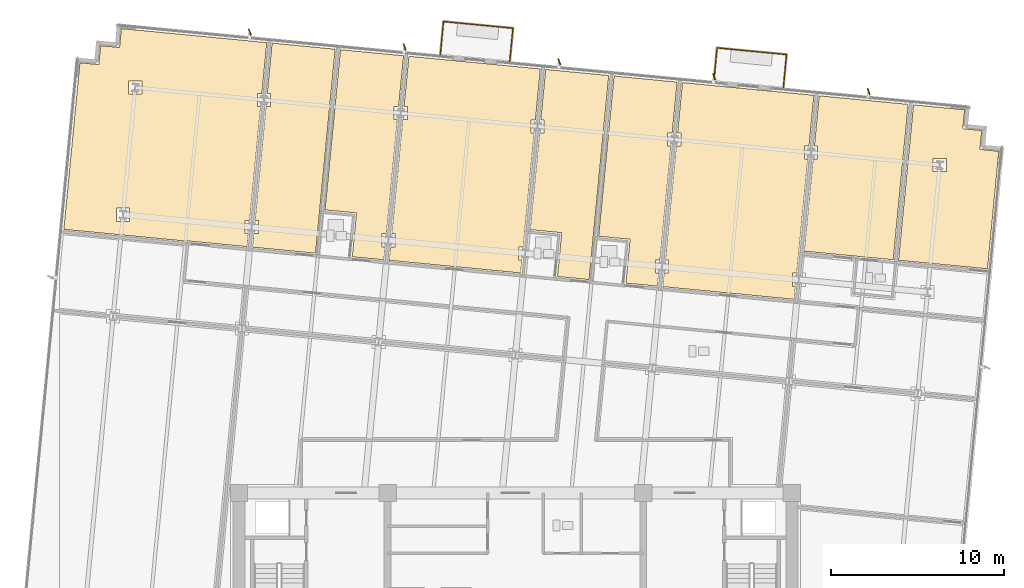
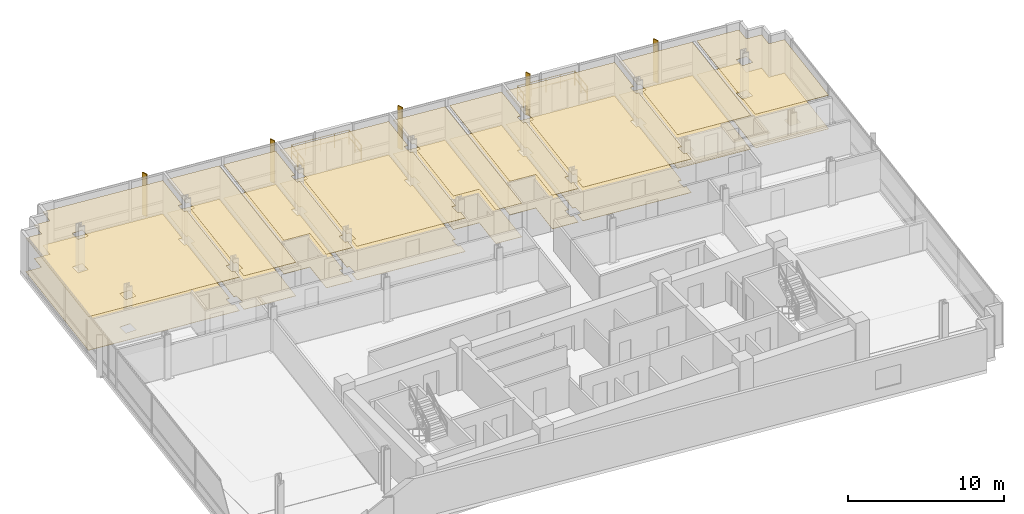
# One storey, part 16 of 17: 18 coverings, 6 railings, 5 shading devices.
"""IFC4 building model written with IfcOpenShell, lengths in metres."""

from ifc_helpers import new_model, si_unit, direction, frame, origin, origin_2d, place, context, subcontext, project, spatial, polyline, rectangle, circle, outline, extrude, material, layer, layer_set, type_object, element, save


model = new_model("IFC4")

# Units and contexts
model_context = context("Model", 3, precision=1e-05, world=origin(), true_north=direction((0.0, 1.0)))
body_context = subcontext(model_context, "Body", "Model", "MODEL_VIEW")
ifc_project = project(units=[si_unit("LENGTHUNIT", "METRE"), si_unit("AREAUNIT", "SQUARE_METRE"), si_unit("VOLUMEUNIT", "CUBIC_METRE"), si_unit("PLANEANGLEUNIT", "RADIAN"), si_unit("MASSUNIT", "GRAM", prefix="KILO")], contexts=[model_context])

# Site, building, storey
site_placement = place(None, origin())
site = spatial("IfcSite", under=ifc_project, at=site_placement, CompositionType="ELEMENT")
building_placement = place(site_placement, origin())
building = spatial("IfcBuilding", under=site, at=building_placement, Name="Solmavex Isthmus Hotel", CompositionType="ELEMENT")
storey_placement = place(building_placement, frame((0.0, 0.0, 170.39990234375)))
storey = spatial("IfcBuildingStorey", under=building, at=storey_placement, Name="L46", CompositionType="ELEMENT", Elevation=170.39990234375)

# Coverings
ifc_material_1 = material(Name="Gypsum plasterboard lining", Category="gypsum")
ifc_layer_1 = layer(ifc_material_1, 0.030029296875)
ifc_layer_set_1 = layer_set([ifc_layer_1], Name="Gypsum plasterboard lining")
covering_type_1 = type_object("IfcCoveringType", Name="COV-CEIL-GYP", PredefinedType="CEILING", material=ifc_layer_set_1)
covering_1_placement = place(storey_placement, frame((0.0, 0.0, 2.6201171875)))
element("IfcCovering", 1, at=covering_1_placement, inside=storey, type_object=covering_type_1, Name="Suspended Acoustic Ceiling L46-RM01", PredefinedType="CEILING", context=body_context, shape_type="SweptSolid", body=[
    extrude(outline(polyline([(-19.121337890625, 12.088623046875), (-19.119384765625, 12.1083984375), (-15.535888671875, 11.763427734375), (-15.463623046875, 12.51611328125), (-15.651123046875, 12.51611328125), (-15.651123046875, 13.276123046875), (-15.390380859375, 13.276123046875), (-14.755126953125, 19.874267578125), (-14.942626953125, 19.874267578125), (-14.942626953125, 20.63427734375), (-14.681884765625, 20.63427734375), (-14.3984375, 23.578857421875), (-21.99609375, 24.310302734375), (-22.8173828125, 24.389404296875), (-22.9228515625, 23.29443359375), (-24.017822265625, 23.39990234375), (-24.123291015625, 22.304931640625), (-25.218017578125, 22.410400390625), (-25.297119140625, 21.589111328125), (-26.14697265625, 12.764892578125), (-19.121337890625, 12.088623046875)]), holes=[polyline([(-22.396240234375, 20.591796875), (-22.396240234375, 21.351806640625), (-21.63623046875, 21.351806640625), (-21.63623046875, 20.591796875), (-22.396240234375, 20.591796875)]), polyline([(-23.104736328125, 13.23388671875), (-23.104736328125, 13.993896484375), (-22.3447265625, 13.993896484375), (-22.3447265625, 13.23388671875), (-23.104736328125, 13.23388671875)])]), origin(), (0.0, 0.0, 1.0), 0.030029296875),
])
covering_2_placement = place(storey_placement, frame((0.0, 0.0, 2.6201171875)))
element("IfcCovering", 2, at=covering_2_placement, inside=storey, type_object=covering_type_1, Name="Suspended Acoustic Ceiling L46-RM02", PredefinedType="CEILING", context=body_context, shape_type="SweptSolid", body=[
    extrude(outline(polyline([(-15.078857421875, 13.276123046875), (-14.89111328125, 13.276123046875), (-14.89111328125, 12.51611328125), (-15.152099609375, 12.51611328125), (-15.2275390625, 11.733642578125), (-11.576416015625, 11.382080078125), (-10.438720703125, 23.197509765625), (-14.08984375, 23.549072265625), (-14.370361328125, 20.63427734375), (-14.1826171875, 20.63427734375), (-14.1826171875, 19.874267578125), (-14.443603515625, 19.874267578125), (-15.078857421875, 13.276123046875)])), origin(), (0.0, 0.0, 1.0), 0.030029296875),
])
covering_3_placement = place(storey_placement, frame((0.0, 0.0, 2.6201171875)))
element("IfcCovering", 3, at=covering_3_placement, inside=storey, type_object=covering_type_1, Name="Suspended Acoustic Ceiling L46-RM03", PredefinedType="CEILING", context=body_context, shape_type="SweptSolid", body=[
    extrude(outline(polyline([(-6.835693359375, 19.111572265625), (-7.0234375, 19.111572265625), (-7.0234375, 19.87158203125), (-6.762451171875, 19.87158203125), (-6.47900390625, 22.816162109375), (-10.130126953125, 23.167724609375), (-11.0234375, 13.890625), (-9.201904296875, 13.71533203125), (-9.4462890625, 11.177001953125), (-7.61669921875, 11.000732421875), (-7.544189453125, 11.753662109375), (-7.73193359375, 11.753662109375), (-7.73193359375, 12.513671875), (-7.470947265625, 12.513671875), (-6.835693359375, 19.111572265625)])), origin(), (0.0, 0.0, 1.0), 0.030029296875),
])
covering_4_placement = place(storey_placement, frame((0.0, 0.0, 2.6201171875)))
element("IfcCovering", 4, at=covering_4_placement, inside=storey, type_object=covering_type_1, Name="Suspended Acoustic Ceiling L46-RM04", PredefinedType="CEILING", context=body_context, shape_type="SweptSolid", body=[
    extrude(outline(polyline([(-7.159423828125, 12.513671875), (-6.971923828125, 12.513671875), (-6.971923828125, 11.753662109375), (-7.232666015625, 11.753662109375), (-7.30810546875, 10.97119140625), (0.302734375, 10.23828125), (0.375244140625, 10.9912109375), (0.1875, 10.9912109375), (0.1875, 11.751220703125), (0.448486328125, 11.751220703125), (1.083740234375, 18.34912109375), (0.89599609375, 18.34912109375), (0.89599609375, 19.109130859375), (1.156982421875, 19.109130859375), (1.4404296875, 22.0537109375), (-6.17041015625, 22.786376953125), (-6.450927734375, 19.87158203125), (-6.263427734375, 19.87158203125), (-6.263427734375, 19.111572265625), (-6.524169921875, 19.111572265625), (-7.0146484375, 14.017822265625), (-7.159423828125, 12.513671875)])), origin(), (0.0, 0.0, 1.0), 0.030029296875),
])
covering_5_placement = place(storey_placement, frame((0.0, 0.0, 2.6201171875)))
element("IfcCovering", 5, at=covering_5_placement, inside=storey, type_object=covering_type_1, Name="Suspended Acoustic Ceiling L46-RM05", PredefinedType="CEILING", context=body_context, shape_type="SweptSolid", body=[
    extrude(outline(polyline([(1.46826171875, 19.109130859375), (1.656005859375, 19.109130859375), (1.656005859375, 18.34912109375), (1.395263671875, 18.34912109375), (0.855712890625, 12.746826171875), (2.67724609375, 12.571533203125), (2.432861328125, 10.033203125), (4.262451171875, 9.85693359375), (5.400146484375, 21.67236328125), (1.7490234375, 22.02392578125), (1.46826171875, 19.109130859375)])), origin(), (0.0, 0.0, 1.0), 0.030029296875),
])
covering_6_placement = place(storey_placement, frame((0.0, 0.0, 2.6201171875)))
element("IfcCovering", 6, at=covering_6_placement, inside=storey, type_object=covering_type_1, Name="Suspended Acoustic Ceiling L46-RM06", PredefinedType="CEILING", context=body_context, shape_type="SweptSolid", body=[
    extrude(outline(polyline([(9.003173828125, 17.586669921875), (8.8154296875, 17.586669921875), (8.8154296875, 18.346435546875), (9.076171875, 18.346435546875), (9.35986328125, 21.291015625), (5.708740234375, 21.642578125), (4.8154296875, 12.365478515625), (6.636962890625, 12.190185546875), (6.392333984375, 9.65185546875), (8.22216796875, 9.475830078125), (8.294677734375, 10.228515625), (8.10693359375, 10.228515625), (8.10693359375, 10.988525390625), (8.36767578125, 10.988525390625), (9.003173828125, 17.586669921875)])), origin(), (0.0, 0.0, 1.0), 0.030029296875),
])
covering_7_placement = place(storey_placement, frame((0.0, 0.0, 2.6201171875)))
element("IfcCovering", 7, at=covering_7_placement, inside=storey, type_object=covering_type_1, Name="Suspended Acoustic Ceiling L46-RM07", PredefinedType="CEILING", context=body_context, shape_type="SweptSolid", body=[
    extrude(outline(polyline([(8.67919921875, 10.988525390625), (8.866943359375, 10.988525390625), (8.866943359375, 10.228515625), (8.60595703125, 10.228515625), (8.53076171875, 9.446044921875), (16.1416015625, 8.713134765625), (16.2138671875, 9.466064453125), (16.0263671875, 9.466064453125), (16.0263671875, 10.22607421875), (16.287109375, 10.22607421875), (16.92236328125, 16.823974609375), (16.73486328125, 16.823974609375), (16.73486328125, 17.583984375), (16.99560546875, 17.583984375), (17.279052734375, 20.528564453125), (9.66845703125, 21.261474609375), (9.3876953125, 18.346435546875), (9.575439453125, 18.346435546875), (9.575439453125, 17.586669921875), (9.314453125, 17.586669921875), (8.67919921875, 10.988525390625)])), origin(), (0.0, 0.0, 1.0), 0.030029296875),
])
covering_8_placement = place(storey_placement, frame((0.0, 0.0, 2.6201171875)))
element("IfcCovering", 8, at=covering_8_placement, inside=storey, type_object=covering_type_1, Name="Suspended Acoustic Ceiling L46-HB08", PredefinedType="CEILING", context=body_context, shape_type="SweptSolid", body=[
    extrude(outline(polyline([(17.30712890625, 17.583984375), (17.494873046875, 17.583984375), (17.494873046875, 16.823974609375), (17.23388671875, 16.823974609375), (17.139404296875, 15.841552734375), (16.72119140625, 11.50048828125), (21.87158203125, 11.004638671875), (22.738037109375, 20.0029296875), (17.587646484375, 20.498779296875), (17.30712890625, 17.583984375)])), origin(), (0.0, 0.0, 1.0), 0.030029296875),
])
covering_9_placement = place(storey_placement, frame((0.0, 0.0, 2.6201171875)))
element("IfcCovering", 9, at=covering_9_placement, inside=storey, type_object=covering_type_1, Name="Suspended Acoustic Ceiling L46-HP08", PredefinedType="CEILING", context=body_context, shape_type="SweptSolid", body=[
    extrude(outline(polyline([(26.0068359375, 19.688232421875), (25.185546875, 19.767333984375), (23.04638671875, 19.97314453125), (22.179931640625, 10.974853515625), (27.330322265625, 10.47900390625), (27.90673828125, 16.46630859375), (27.98583984375, 17.287353515625), (26.890869140625, 17.392822265625), (26.996337890625, 18.48779296875), (25.9013671875, 18.59326171875), (26.0068359375, 19.688232421875)]), holes=[polyline([(24.188232421875, 16.106201171875), (24.188232421875, 16.8662109375), (24.9482421875, 16.8662109375), (24.9482421875, 16.106201171875), (24.188232421875, 16.106201171875)])]), origin(), (0.0, 0.0, 1.0), 0.030029296875),
])
ifc_material_2 = material(Name="Travertine natural stone", Category="masonry")
ifc_layer_2 = layer(ifc_material_2, 0.02490234375)
ifc_layer_set_2 = layer_set([ifc_layer_2], Name="Travertine natural stone")
covering_type_2 = type_object("IfcCoveringType", Name="COV-FLOR-STN", PredefinedType="FLOORING", material=ifc_layer_set_2)
covering_10_placement = place(storey_placement, origin())
element("IfcCovering", 10, at=covering_10_placement, inside=storey, type_object=covering_type_2, Name="Stone and Timber Floor Finish L46-RM01", PredefinedType="FLOORING", context=body_context, shape_type="SweptSolid", body=[
    extrude(outline(polyline([(-19.121337890625, 12.088623046875), (-19.119384765625, 12.1083984375), (-15.535888671875, 11.763427734375), (-15.463623046875, 12.51611328125), (-15.651123046875, 12.51611328125), (-15.651123046875, 13.276123046875), (-15.390380859375, 13.276123046875), (-14.755126953125, 19.874267578125), (-14.942626953125, 19.874267578125), (-14.942626953125, 20.63427734375), (-14.681884765625, 20.63427734375), (-14.3984375, 23.578857421875), (-21.99609375, 24.310302734375), (-22.8173828125, 24.389404296875), (-22.9228515625, 23.29443359375), (-24.017822265625, 23.39990234375), (-24.123291015625, 22.304931640625), (-25.218017578125, 22.410400390625), (-25.297119140625, 21.589111328125), (-26.14697265625, 12.764892578125), (-19.121337890625, 12.088623046875)]), holes=[polyline([(-22.396240234375, 20.591796875), (-22.396240234375, 21.351806640625), (-21.63623046875, 21.351806640625), (-21.63623046875, 20.591796875), (-22.396240234375, 20.591796875)]), polyline([(-23.104736328125, 13.23388671875), (-23.104736328125, 13.993896484375), (-22.3447265625, 13.993896484375), (-22.3447265625, 13.23388671875), (-23.104736328125, 13.23388671875)])]), origin(), (0.0, 0.0, 1.0), 0.025146484375),
])
covering_11_placement = place(storey_placement, origin())
element("IfcCovering", 11, at=covering_11_placement, inside=storey, type_object=covering_type_2, Name="Stone and Timber Floor Finish L46-RM02", PredefinedType="FLOORING", context=body_context, shape_type="SweptSolid", body=[
    extrude(outline(polyline([(-15.078857421875, 13.276123046875), (-14.89111328125, 13.276123046875), (-14.89111328125, 12.51611328125), (-15.152099609375, 12.51611328125), (-15.2275390625, 11.733642578125), (-11.576416015625, 11.382080078125), (-10.438720703125, 23.197509765625), (-14.08984375, 23.549072265625), (-14.370361328125, 20.63427734375), (-14.1826171875, 20.63427734375), (-14.1826171875, 19.874267578125), (-14.443603515625, 19.874267578125), (-15.078857421875, 13.276123046875)])), origin(), (0.0, 0.0, 1.0), 0.025146484375),
])
covering_12_placement = place(storey_placement, origin())
element("IfcCovering", 12, at=covering_12_placement, inside=storey, type_object=covering_type_2, Name="Stone and Timber Floor Finish L46-RM03", PredefinedType="FLOORING", context=body_context, shape_type="SweptSolid", body=[
    extrude(outline(polyline([(-6.835693359375, 19.111572265625), (-7.0234375, 19.111572265625), (-7.0234375, 19.87158203125), (-6.762451171875, 19.87158203125), (-6.47900390625, 22.816162109375), (-10.130126953125, 23.167724609375), (-11.0234375, 13.890625), (-9.201904296875, 13.71533203125), (-9.4462890625, 11.177001953125), (-7.61669921875, 11.000732421875), (-7.544189453125, 11.753662109375), (-7.73193359375, 11.753662109375), (-7.73193359375, 12.513671875), (-7.470947265625, 12.513671875), (-6.835693359375, 19.111572265625)])), origin(), (0.0, 0.0, 1.0), 0.025146484375),
])
covering_13_placement = place(storey_placement, origin())
element("IfcCovering", 13, at=covering_13_placement, inside=storey, type_object=covering_type_2, Name="Stone and Timber Floor Finish L46-RM04", PredefinedType="FLOORING", context=body_context, shape_type="SweptSolid", body=[
    extrude(outline(polyline([(-7.159423828125, 12.513671875), (-6.971923828125, 12.513671875), (-6.971923828125, 11.753662109375), (-7.232666015625, 11.753662109375), (-7.30810546875, 10.97119140625), (0.302734375, 10.23828125), (0.375244140625, 10.9912109375), (0.1875, 10.9912109375), (0.1875, 11.751220703125), (0.448486328125, 11.751220703125), (1.083740234375, 18.34912109375), (0.89599609375, 18.34912109375), (0.89599609375, 19.109130859375), (1.156982421875, 19.109130859375), (1.4404296875, 22.0537109375), (-6.17041015625, 22.786376953125), (-6.450927734375, 19.87158203125), (-6.263427734375, 19.87158203125), (-6.263427734375, 19.111572265625), (-6.524169921875, 19.111572265625), (-7.0146484375, 14.017822265625), (-7.159423828125, 12.513671875)])), origin(), (0.0, 0.0, 1.0), 0.025146484375),
])
covering_14_placement = place(storey_placement, origin())
element("IfcCovering", 14, at=covering_14_placement, inside=storey, type_object=covering_type_2, Name="Stone and Timber Floor Finish L46-RM05", PredefinedType="FLOORING", context=body_context, shape_type="SweptSolid", body=[
    extrude(outline(polyline([(1.46826171875, 19.109130859375), (1.656005859375, 19.109130859375), (1.656005859375, 18.34912109375), (1.395263671875, 18.34912109375), (0.855712890625, 12.746826171875), (2.67724609375, 12.571533203125), (2.432861328125, 10.033203125), (4.262451171875, 9.85693359375), (5.400146484375, 21.67236328125), (1.7490234375, 22.02392578125), (1.46826171875, 19.109130859375)])), origin(), (0.0, 0.0, 1.0), 0.025146484375),
])
covering_15_placement = place(storey_placement, origin())
element("IfcCovering", 15, at=covering_15_placement, inside=storey, type_object=covering_type_2, Name="Stone and Timber Floor Finish L46-RM06", PredefinedType="FLOORING", context=body_context, shape_type="SweptSolid", body=[
    extrude(outline(polyline([(9.003173828125, 17.586669921875), (8.8154296875, 17.586669921875), (8.8154296875, 18.346435546875), (9.076171875, 18.346435546875), (9.35986328125, 21.291015625), (5.708740234375, 21.642578125), (4.8154296875, 12.365478515625), (6.636962890625, 12.190185546875), (6.392333984375, 9.65185546875), (8.22216796875, 9.475830078125), (8.294677734375, 10.228515625), (8.10693359375, 10.228515625), (8.10693359375, 10.988525390625), (8.36767578125, 10.988525390625), (9.003173828125, 17.586669921875)])), origin(), (0.0, 0.0, 1.0), 0.025146484375),
])
covering_16_placement = place(storey_placement, origin())
element("IfcCovering", 16, at=covering_16_placement, inside=storey, type_object=covering_type_2, Name="Stone and Timber Floor Finish L46-RM07", PredefinedType="FLOORING", context=body_context, shape_type="SweptSolid", body=[
    extrude(outline(polyline([(8.67919921875, 10.988525390625), (8.866943359375, 10.988525390625), (8.866943359375, 10.228515625), (8.60595703125, 10.228515625), (8.53076171875, 9.446044921875), (16.1416015625, 8.713134765625), (16.2138671875, 9.466064453125), (16.0263671875, 9.466064453125), (16.0263671875, 10.22607421875), (16.287109375, 10.22607421875), (16.92236328125, 16.823974609375), (16.73486328125, 16.823974609375), (16.73486328125, 17.583984375), (16.99560546875, 17.583984375), (17.279052734375, 20.528564453125), (9.66845703125, 21.261474609375), (9.3876953125, 18.346435546875), (9.575439453125, 18.346435546875), (9.575439453125, 17.586669921875), (9.314453125, 17.586669921875), (8.67919921875, 10.988525390625)])), origin(), (0.0, 0.0, 1.0), 0.025146484375),
])
covering_17_placement = place(storey_placement, origin())
element("IfcCovering", 17, at=covering_17_placement, inside=storey, type_object=covering_type_2, Name="Stone and Timber Floor Finish L46-HB08", PredefinedType="FLOORING", context=body_context, shape_type="SweptSolid", body=[
    extrude(outline(polyline([(17.30712890625, 17.583984375), (17.494873046875, 17.583984375), (17.494873046875, 16.823974609375), (17.23388671875, 16.823974609375), (17.139404296875, 15.841552734375), (16.72119140625, 11.50048828125), (21.87158203125, 11.004638671875), (22.738037109375, 20.0029296875), (17.587646484375, 20.498779296875), (17.30712890625, 17.583984375)])), origin(), (0.0, 0.0, 1.0), 0.025146484375),
])
covering_18_placement = place(storey_placement, origin())
element("IfcCovering", 18, at=covering_18_placement, inside=storey, type_object=covering_type_2, Name="Stone and Timber Floor Finish L46-HP08", PredefinedType="FLOORING", context=body_context, shape_type="SweptSolid", body=[
    extrude(outline(polyline([(26.0068359375, 19.688232421875), (25.185546875, 19.767333984375), (23.04638671875, 19.97314453125), (22.179931640625, 10.974853515625), (27.330322265625, 10.47900390625), (27.90673828125, 16.46630859375), (27.98583984375, 17.287353515625), (26.890869140625, 17.392822265625), (26.996337890625, 18.48779296875), (25.9013671875, 18.59326171875), (26.0068359375, 19.688232421875)]), holes=[polyline([(24.188232421875, 16.106201171875), (24.188232421875, 16.8662109375), (24.9482421875, 16.8662109375), (24.9482421875, 16.106201171875), (24.188232421875, 16.106201171875)])]), origin(), (0.0, 0.0, 1.0), 0.025146484375),
])

# Railings
ifc_material_3 = material(Name="Clear low-E laminated glass", Category="glass")
ifc_layer_3 = layer(ifc_material_3, 0.070068359375)
ifc_layer_set_3 = layer_set([ifc_layer_3], Name="Clear low-E laminated glass")
railing_type = type_object("IfcRailingType", Name="RAIL-GUARD-1100", PredefinedType="BALUSTRADE", material=ifc_layer_set_3)
railing_1_placement = place(storey_placement, frame((-4.349365234375, 22.887451171875, 0.0)))
element("IfcRailing", 19, at=railing_1_placement, inside=storey, type_object=railing_type, Name="Guardrail Balustrade L46-BAL1-01", PredefinedType="BALUSTRADE", context=body_context, shape_type="SweptSolid", body=[
    extrude(circle(Radius=0.02392578125, at=origin_2d()), frame((0.0, 0.0, 1.09619140625), z_axis=(0.095877165628, 0.995393173129, 0.0), x_axis=(-0.995393173129, 0.095877165628, 0.0)), (0.0, 0.0, 1.0), 1.919921875),
    extrude(circle(Radius=0.02392578125, at=origin_2d()), frame((0.0, 0.0, 0.56005859375), z_axis=(0.095877165628, 0.995393173129, 0.0), x_axis=(-0.995393173129, 0.095877165628, 0.0)), (0.0, 0.0, 1.0), 1.919921875),
    extrude(circle(Radius=0.02099609375, at=origin_2d()), origin(), (0.0, 0.0, 1.0), 1.072021484375),
    extrude(circle(Radius=0.02099609375, at=origin_2d()), frame((0.092041015625, 0.95556640625, 0.0)), (0.0, 0.0, 1.0), 1.072021484375),
    extrude(circle(Radius=0.02099609375, at=origin_2d()), frame((0.18408203125, 1.9111328125, 0.0)), (0.0, 0.0, 1.0), 1.072021484375),
])
railing_2_placement = place(storey_placement, frame((-4.165283203125, 24.798583984375, 0.0)))
element("IfcRailing", 20, at=railing_2_placement, inside=storey, type_object=railing_type, Name="Guardrail Balustrade L46-BAL1-02", PredefinedType="BALUSTRADE", context=body_context, shape_type="SweptSolid", body=[
    extrude(circle(Radius=0.02392578125, at=origin_2d()), frame((0.0, 0.0, 1.09619140625), z_axis=(0.995396620385, -0.095841369593, 0.0), x_axis=(0.095841369593, 0.995396620385, 0.0)), (0.0, 0.0, 1.0), 4.0400390625),
    extrude(circle(Radius=0.02392578125, at=origin_2d()), frame((0.0, 0.0, 0.56005859375), z_axis=(0.995396620385, -0.095841369593, 0.0), x_axis=(0.095841369593, 0.995396620385, 0.0)), (0.0, 0.0, 1.0), 4.0400390625),
    extrude(circle(Radius=0.02099609375, at=origin_2d()), origin(), (0.0, 0.0, 1.0), 1.072021484375),
    extrude(circle(Radius=0.02099609375, at=origin_2d()), frame((1.00537109375, -0.0966796875, 0.0)), (0.0, 0.0, 1.0), 1.072021484375),
    extrude(circle(Radius=0.02099609375, at=origin_2d()), frame((2.0107421875, -0.193603515625, 0.0)), (0.0, 0.0, 1.0), 1.072021484375),
    extrude(circle(Radius=0.02099609375, at=origin_2d()), frame((3.01611328125, -0.29052734375, 0.0)), (0.0, 0.0, 1.0), 1.072021484375),
    extrude(circle(Radius=0.02099609375, at=origin_2d()), frame((4.021484375, -0.38720703125, 0.0)), (0.0, 0.0, 1.0), 1.072021484375),
])
railing_3_placement = place(storey_placement, frame((-0.143798828125, 24.411376953125, 0.0)))
element("IfcRailing", 21, at=railing_3_placement, inside=storey, type_object=railing_type, Name="Guardrail Balustrade L46-BAL1-03", PredefinedType="BALUSTRADE", context=body_context, shape_type="SweptSolid", body=[
    extrude(circle(Radius=0.02392578125, at=origin_2d()), frame((0.0, 0.0, 1.09619140625), z_axis=(-0.095877165628, -0.995393173129, 0.0), x_axis=(0.995393173129, -0.095877165628, 0.0)), (0.0, 0.0, 1.0), 1.919921875),
    extrude(circle(Radius=0.02392578125, at=origin_2d()), frame((0.0, 0.0, 0.56005859375), z_axis=(-0.095877165628, -0.995393173129, 0.0), x_axis=(0.995393173129, -0.095877165628, 0.0)), (0.0, 0.0, 1.0), 1.919921875),
    extrude(circle(Radius=0.02099609375, at=origin_2d()), origin(), (0.0, 0.0, 1.0), 1.072021484375),
    extrude(circle(Radius=0.02099609375, at=origin_2d()), frame((-0.092041015625, -0.95556640625, 0.0)), (0.0, 0.0, 1.0), 1.072021484375),
    extrude(circle(Radius=0.02099609375, at=origin_2d()), frame((-0.18408203125, -1.9111328125, 0.0)), (0.0, 0.0, 1.0), 1.072021484375),
])
railing_4_placement = place(storey_placement, frame((11.489501953125, 21.3623046875, 0.0)))
element("IfcRailing", 22, at=railing_4_placement, inside=storey, type_object=railing_type, Name="Guardrail Balustrade L46-BAL2-01", PredefinedType="BALUSTRADE", context=body_context, shape_type="SweptSolid", body=[
    extrude(circle(Radius=0.02392578125, at=origin_2d()), frame((0.0, 0.0, 1.09619140625), z_axis=(0.095751174172, 0.995405300691, 0.0), x_axis=(-0.995405300691, 0.095751174172, 0.0)), (0.0, 0.0, 1.0), 1.919921875),
    extrude(circle(Radius=0.02392578125, at=origin_2d()), frame((0.0, 0.0, 0.56005859375), z_axis=(0.095751174172, 0.995405300691, 0.0), x_axis=(-0.995405300691, 0.095751174172, 0.0)), (0.0, 0.0, 1.0), 1.919921875),
    extrude(circle(Radius=0.02099609375, at=origin_2d()), origin(), (0.0, 0.0, 1.0), 1.072021484375),
    extrude(circle(Radius=0.02099609375, at=origin_2d()), frame((0.091796875, 0.95556640625, 0.0)), (0.0, 0.0, 1.0), 1.072021484375),
    extrude(circle(Radius=0.02099609375, at=origin_2d()), frame((0.183837890625, 1.9111328125, 0.0)), (0.0, 0.0, 1.0), 1.072021484375),
])
railing_5_placement = place(storey_placement, frame((11.67333984375, 23.2734375, 0.0)))
element("IfcRailing", 23, at=railing_5_placement, inside=storey, type_object=railing_type, Name="Guardrail Balustrade L46-BAL2-02", PredefinedType="BALUSTRADE", context=body_context, shape_type="SweptSolid", body=[
    extrude(circle(Radius=0.02392578125, at=origin_2d()), frame((0.0, 0.0, 1.09619140625), z_axis=(0.995396620385, -0.095841369593, 0.0), x_axis=(0.095841369593, 0.995396620385, 0.0)), (0.0, 0.0, 1.0), 4.0400390625),
    extrude(circle(Radius=0.02392578125, at=origin_2d()), frame((0.0, 0.0, 0.56005859375), z_axis=(0.995396620385, -0.095841369593, 0.0), x_axis=(0.095841369593, 0.995396620385, 0.0)), (0.0, 0.0, 1.0), 4.0400390625),
    extrude(circle(Radius=0.02099609375, at=origin_2d()), origin(), (0.0, 0.0, 1.0), 1.072021484375),
    extrude(circle(Radius=0.02099609375, at=origin_2d()), frame((1.00537109375, -0.0966796875, 0.0)), (0.0, 0.0, 1.0), 1.072021484375),
    extrude(circle(Radius=0.02099609375, at=origin_2d()), frame((2.0107421875, -0.193603515625, 0.0)), (0.0, 0.0, 1.0), 1.072021484375),
    extrude(circle(Radius=0.02099609375, at=origin_2d()), frame((3.01611328125, -0.29052734375, 0.0)), (0.0, 0.0, 1.0), 1.072021484375),
    extrude(circle(Radius=0.02099609375, at=origin_2d()), frame((4.021484375, -0.38720703125, 0.0)), (0.0, 0.0, 1.0), 1.072021484375),
])
railing_6_placement = place(storey_placement, frame((15.69482421875, 22.88623046875, 0.0)))
element("IfcRailing", 24, at=railing_6_placement, inside=storey, type_object=railing_type, Name="Guardrail Balustrade L46-BAL2-03", PredefinedType="BALUSTRADE", context=body_context, shape_type="SweptSolid", body=[
    extrude(circle(Radius=0.02392578125, at=origin_2d()), frame((0.0, 0.0, 1.09619140625), z_axis=(-0.095877165628, -0.995393173129, 0.0), x_axis=(0.995393173129, -0.095877165628, 0.0)), (0.0, 0.0, 1.0), 1.919921875),
    extrude(circle(Radius=0.02392578125, at=origin_2d()), frame((0.0, 0.0, 0.56005859375), z_axis=(-0.095877165628, -0.995393173129, 0.0), x_axis=(0.995393173129, -0.095877165628, 0.0)), (0.0, 0.0, 1.0), 1.919921875),
    extrude(circle(Radius=0.02099609375, at=origin_2d()), origin(), (0.0, 0.0, 1.0), 1.072021484375),
    extrude(circle(Radius=0.02099609375, at=origin_2d()), frame((-0.092041015625, -0.95556640625, 0.0)), (0.0, 0.0, 1.0), 1.072021484375),
    extrude(circle(Radius=0.02099609375, at=origin_2d()), frame((-0.18408203125, -1.9111328125, 0.0)), (0.0, 0.0, 1.0), 1.072021484375),
])

# Shading devices
ifc_material_4 = material(Name="Aluminium alloy 6063-T6", Category="aluminium")
shading_device_type = type_object("IfcShadingDeviceType", Name="SHD-FIN-CHAMP", PredefinedType="USERDEFINED", material=ifc_material_4)
for number, where, z_axis, x_axis, name in (
    (25, (-15.377197265625, 24.1904296875, -0.139892578125), (0.0, 0.0, 1.0), (-0.350207381259, 0.936672189248, 0.0), "Anodised Aluminium Solar Fin L46-N1"),
    (26, (-6.418701171875, 23.327880859375, -0.139892578125), (0.0, 0.0, 1.0), (-0.350207381259, 0.936672189248, 0.0), "Anodised Aluminium Solar Fin L46-N2"),
    (27, (2.5400390625, 22.465087890625, -0.139892578125), (0.0, 0.0, 1.0), (-0.350207381259, 0.936672189248, 0.0), "Anodised Aluminium Solar Fin L46-N3"),
    (28, (11.49853515625, 21.6025390625, -0.139892578125), (0.0, 0.0, 1.0), (-0.350207381259, 0.936672189248, 0.0), "Anodised Aluminium Solar Fin L46-N4"),
    (29, (20.45703125, 20.739990234375, -0.139892578125), (0.0, 0.0, 1.0), (-0.350207381259, 0.936672189248, 0.0), "Anodised Aluminium Solar Fin L46-N5"),
):
    element("IfcShadingDevice", number, at=place(storey_placement, frame(where, z_axis=z_axis, x_axis=x_axis)), inside=storey, type_object=shading_device_type, Name=name, ObjectType="SOLAR_FIN", PredefinedType="USERDEFINED", context=body_context, shape_type="SweptSolid", body=[
        extrude(rectangle(XDim=0.3798828125, YDim=0.070068359375, at=origin_2d()), origin(), (0.0, 0.0, 1.0), 3.330078125),
    ])

save(model, "model.ifc")
